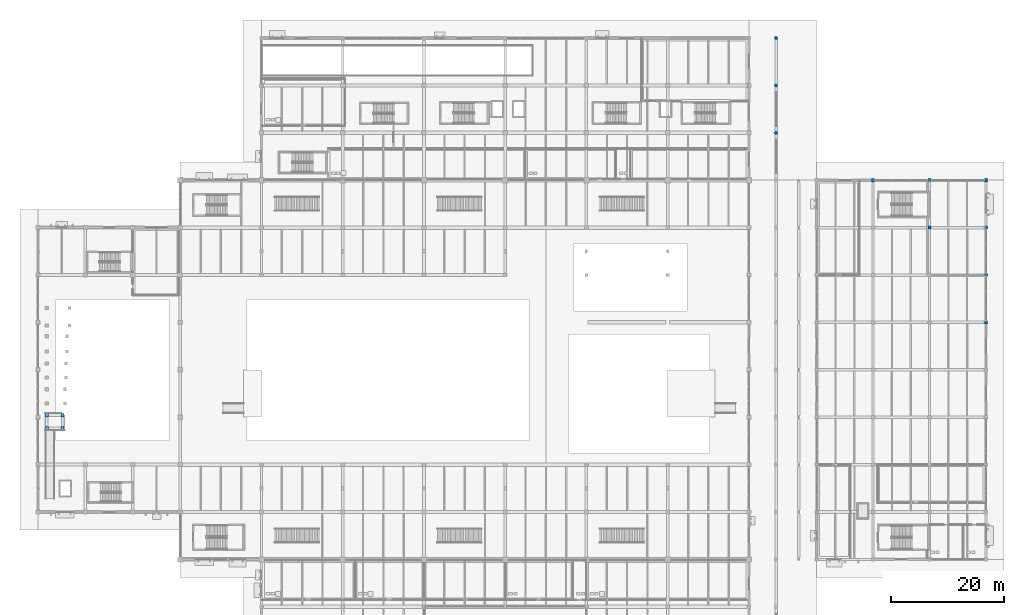
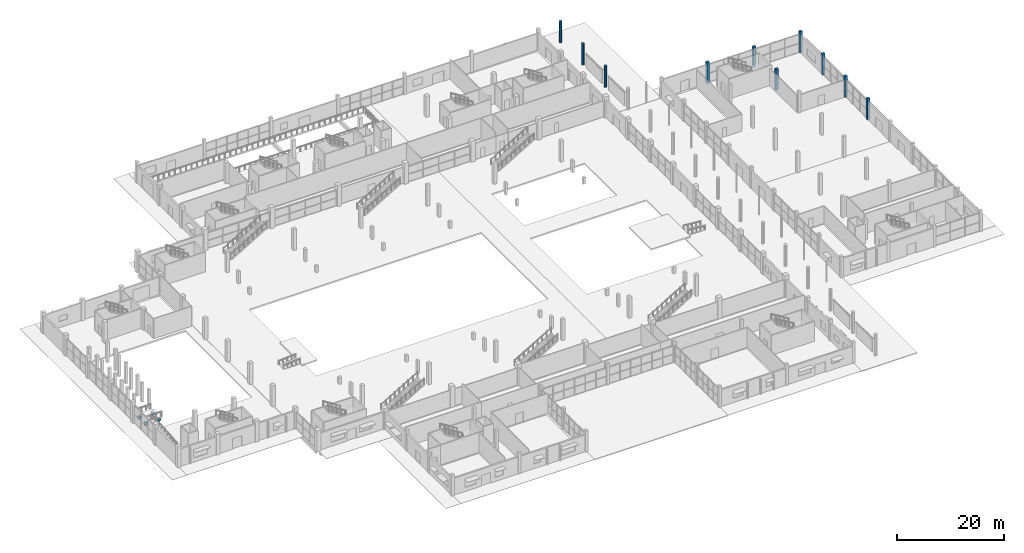
# One storey, part 11 of 130: 14 columns.
"""IFC4 building model written with IfcOpenShell, lengths in metres."""

from ifc_helpers import new_model, si_unit, direction, frame, origin, origin_2d, place, context, subcontext, project, spatial, rectangle, circle, extrude, material, material_profile, profile_set, type_object, element, save


model = new_model("IFC4")

# Units and contexts
model_context = context("Model", 3, precision=1e-05, world=origin(), true_north=direction((0.0, 1.0)))
body_context = subcontext(model_context, "Body", "Model", "MODEL_VIEW")
ifc_project = project(units=[si_unit("LENGTHUNIT", "METRE"), si_unit("AREAUNIT", "SQUARE_METRE"), si_unit("VOLUMEUNIT", "CUBIC_METRE"), si_unit("PLANEANGLEUNIT", "RADIAN"), si_unit("MASSUNIT", "GRAM", prefix="KILO"), si_unit("THERMODYNAMICTEMPERATUREUNIT", "KELVIN")], contexts=[model_context])

# Site, building, storey
site_placement = place(None, origin())
site = spatial("IfcSite", under=ifc_project, at=site_placement, CompositionType="ELEMENT")
building_placement = place(site_placement, origin())
building = spatial("IfcBuilding", under=site, at=building_placement, Name="Nduvali Passage Aquatics Centre", CompositionType="ELEMENT")
storey_placement = place(building_placement, origin())
storey = spatial("IfcBuildingStorey", under=building, at=storey_placement, Name="L00", CompositionType="ELEMENT", Elevation=0.0)

# Columns
ifc_material = material(Name="Concrete C40/50", Category="concrete")
ifc_material_profile_1 = material_profile(ifc_material, rectangle(XDim=0.550048828125, YDim=0.550048828125, at=origin_2d()), Name="RC 550x550")
ifc_profile_set_1 = profile_set([ifc_material_profile_1], Name="Concrete C40/50")
column_type_1 = type_object("IfcColumnType", Name="STR-COL-RC550", PredefinedType="COLUMN", material=ifc_profile_set_1)
for number, where, z_axis, x_axis, name in (
    (1, (1.550048828125, 48.449951171875, 0.0), (0.0, 0.0, 1.0), (1.0, 0.0, 0.0), "L00 Column C4 (1.6, 48.5)"),
    (2, (1.550048828125, 50.75, 0.0), (0.0, 0.0, 1.0), (1.0, 0.0, 0.0), "L00 Column C4 (1.6, 50.8)"),
    (3, (4.35009765625, 48.449951171875, 0.0), (0.0, 0.0, 1.0), (1.0, 0.0, 0.0), "L00 Column C4 (4.3, 48.5)"),
    (4, (4.35009765625, 50.75, 0.0), (0.0, 0.0, 1.0), (1.0, 0.0, 0.0), "L00 Column C4 (4.3, 50.8)"),
):
    element("IfcColumn", number, at=place(storey_placement, frame(where, z_axis=z_axis, x_axis=x_axis)), inside=storey, type_object=column_type_1, Name=name, PredefinedType="COLUMN", context=body_context, shape_type="SweptSolid", body=[
        extrude(rectangle(XDim=0.550048828125, YDim=0.550048828125, at=origin_2d()), origin(), (0.0, 0.0, 1.0), 0.6201171875),
    ])
column_placement = place(storey_placement, frame((158.0, 84.0, 0.0), z_axis=(0.0, 0.0, 1.0), x_axis=(1.0, 0.0, 0.0)))
element("IfcColumn", 5, at=column_placement, inside=storey, type_object=column_type_1, Name="L00 Column C4 (158.0, 84.0)", PredefinedType="COLUMN", context=body_context, shape_type="SweptSolid", body=[
    extrude(rectangle(XDim=0.550048828125, YDim=0.550048828125, at=origin_2d()), origin(), (0.0, 0.0, 1.0), 4.800048828125),
])
ifc_material_profile_2 = material_profile(ifc_material, rectangle(XDim=0.550048828125, YDim=0.550048828125, at=origin_2d()), Name="RC 550x550")
ifc_profile_set_2 = profile_set([ifc_material_profile_2], Name="Concrete C40/50")
column_type_2 = type_object("IfcColumnType", Name="STR-COL-RC550-EXT", PredefinedType="COLUMN", material=ifc_profile_set_2)
for number, where, z_axis, x_axis, name in (
    (6, (148.0, 92.39990234375, 0.0), (0.0, 0.0, 1.0), (1.0, 0.0, 0.0), "L00 Column C4E (148.0, 92.4)"),
    (7, (158.0, 92.39990234375, 0.0), (0.0, 0.0, 1.0), (1.0, 0.0, 0.0), "L00 Column C4E (158.0, 92.4)"),
    (8, (168.0, 67.199951171875, 0.0), (0.0, 0.0, 1.0), (1.0, 0.0, 0.0), "L00 Column C4E (168.0, 67.2)"),
    (9, (168.0, 75.60009765625, 0.0), (0.0, 0.0, 1.0), (1.0, 0.0, 0.0), "L00 Column C4E (168.0, 75.6)"),
    (10, (168.0, 84.0, 0.0), (0.0, 0.0, 1.0), (1.0, 0.0, 0.0), "L00 Column C4E (168.0, 84.0)"),
    (11, (168.0, 92.39990234375, 0.0), (0.0, 0.0, 1.0), (1.0, 0.0, 0.0), "L00 Column C4E (168.0, 92.4)"),
):
    element("IfcColumn", number, at=place(storey_placement, frame(where, z_axis=z_axis, x_axis=x_axis)), inside=storey, type_object=column_type_2, Name=name, PredefinedType="COLUMN", context=body_context, shape_type="SweptSolid", body=[
        extrude(rectangle(XDim=0.550048828125, YDim=0.550048828125, at=origin_2d()), origin(), (0.0, 0.0, 1.0), 4.800048828125),
    ])
ifc_material_profile_3 = material_profile(ifc_material, circle(Radius=0.300048828125, at=origin_2d()), Name="RC D600")
ifc_profile_set_3 = profile_set([ifc_material_profile_3], Name="Concrete C40/50")
column_type_3 = type_object("IfcColumnType", Name="STR-PIL-D600-EXT", PredefinedType="PILASTER", material=ifc_profile_set_3)
for number, where, z_axis, x_axis, name in (
    (12, (130.800048828125, 100.800048828125, 0.0), (0.0, 0.0, 1.0), (1.0, 0.0, 0.0), "L00 Column CP1E (130.8, 100.8)"),
    (13, (130.800048828125, 109.199951171875, 0.0), (0.0, 0.0, 1.0), (1.0, 0.0, 0.0), "L00 Column CP1E (130.8, 109.2)"),
    (14, (130.800048828125, 117.60009765625, 0.0), (0.0, 0.0, 1.0), (1.0, 0.0, 0.0), "L00 Column CP1E (130.8, 117.6)"),
):
    element("IfcColumn", number, at=place(storey_placement, frame(where, z_axis=z_axis, x_axis=x_axis)), inside=storey, type_object=column_type_3, Name=name, PredefinedType="PILASTER", context=body_context, shape_type="SweptSolid", body=[
        extrude(circle(Radius=0.300048828125, at=origin_2d()), origin(), (0.0, 0.0, 1.0), 4.800048828125),
    ])

save(model, "model.ifc")
